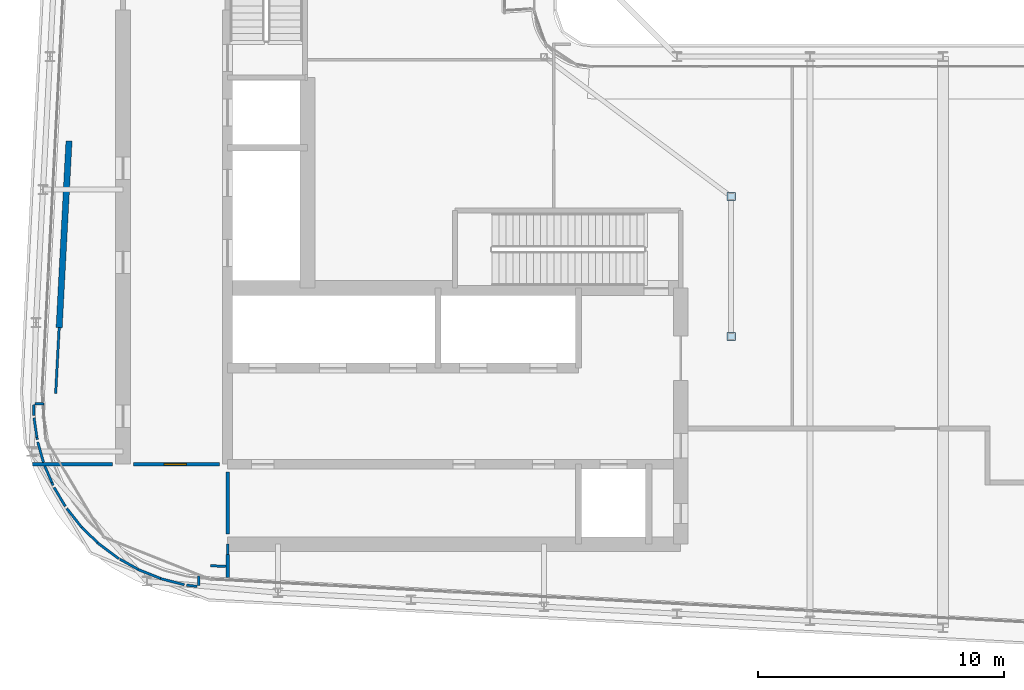
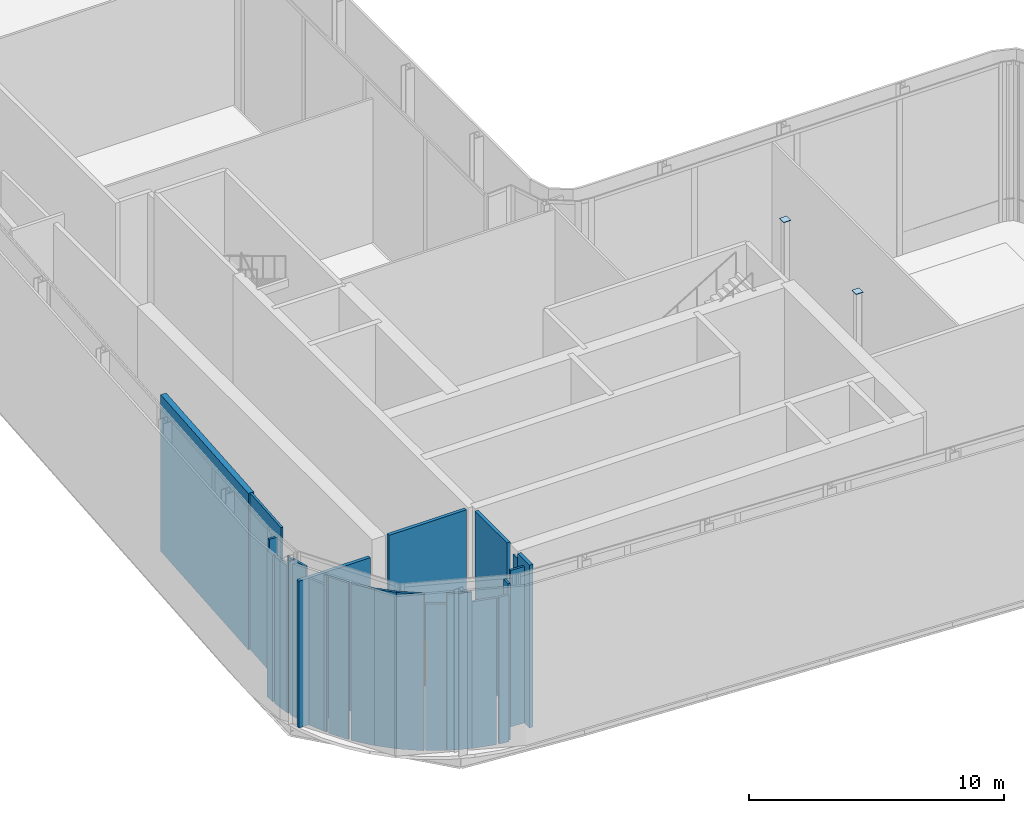
# One storey, part 20 of 28: 24 walls, 2 plates, 1 door, 1 opening.
"""IFC4 building model written with IfcOpenShell, lengths in metres."""

from ifc_helpers import new_model, si_unit, direction, frame, frame_2d, origin, origin_2d, place, context, subcontext, project, spatial, rectangle, extrude, source, transform, mapped, material, layer, layer_set, type_object, element, fill, save


model = new_model("IFC4")

# Units and contexts
model_context = context("Model", 3, precision=1e-05, world=origin(), true_north=direction((0.0, 1.0)))
body_context = subcontext(model_context, "Body", "Model", "MODEL_VIEW")
ifc_project = project(units=[si_unit("LENGTHUNIT", "METRE"), si_unit("AREAUNIT", "SQUARE_METRE"), si_unit("VOLUMEUNIT", "CUBIC_METRE"), si_unit("PLANEANGLEUNIT", "RADIAN"), si_unit("MASSUNIT", "GRAM", prefix="KILO")], contexts=[model_context])

# Site, building, storey
site_placement = place(None, origin())
site = spatial("IfcSite", under=ifc_project, at=site_placement, CompositionType="ELEMENT")
building_placement = place(site_placement, origin())
building = spatial("IfcBuilding", under=site, at=building_placement, Name="Kheshtan School and Residences Tower", CompositionType="ELEMENT")
storey_placement = place(building_placement, frame((0.0, 0.0, 325.39990234375)))
storey = spatial("IfcBuildingStorey", under=building, at=storey_placement, Name="L77", CompositionType="ELEMENT", Elevation=325.39990234375)

# Plates
ifc_material_1 = material(Name="Steel ASTM A992 Grade 50", Category="steel")
ifc_layer_1 = layer(ifc_material_1, 0.02490234375)
ifc_layer_set_1 = layer_set([ifc_layer_1], Name="End plate 25 HSS 254x254x12.7 ASTM A992 Grade 50")
plate_type = type_object("IfcPlateType", Name="End plate 25 HSS 254x254x12.7 ASTM A992 Grade 50", PredefinedType="SHEET", material=ifc_layer_set_1)
for number, where, z_axis, x_axis, name in (
    (1, (55.199951171875, 34.23193359375, 7.800048828125), (0.0, 0.0, 1.0), (1.0, 0.0, 0.0), "End plate"),
    (2, (55.199951171875, 39.916015625, 7.800048828125), (0.0, 0.0, 1.0), (1.0, 0.0, 0.0), "End plate"),
):
    element("IfcPlate", number, at=place(storey_placement, frame(where, z_axis=z_axis, x_axis=x_axis)), inside=storey, type_object=plate_type, Name=name, PredefinedType="SHEET", context=body_context, shape_type="SweptSolid", body=[
        extrude(rectangle(XDim=0.333984375, YDim=0.333984375, at=origin_2d()), origin(), (0.0, 0.0, 1.0), 0.02490234375),
    ])

# Walls
ifc_material_2 = material(Name="Gypsum board on steel studs", Category="steel")
ifc_layer_2 = layer(ifc_material_2, 0.10009765625)
ifc_layer_set_2 = layer_set([ifc_layer_2], Name="Gypsum partition 100")
wall_type_1 = type_object("IfcWallType", Name="Gypsum partition 100", PredefinedType="PARTITIONING", material=ifc_layer_set_2)
wall_1_placement = place(storey_placement, frame((26.8759765625, 31.464111328125, 0.0), z_axis=(0.0, 0.0, 1.0), x_axis=(0.011863571826, -0.999929625355, 0.0)))
element("IfcWall", 3, at=wall_1_placement, inside=storey, type_object=wall_type_1, Name="Partition L77-001", PredefinedType="PARTITIONING", context=body_context, shape_type="SweptSolid", body=[
    extrude(rectangle(XDim=0.43212890625, YDim=0.10009765625, at=frame_2d((0.216064453125, 0.0))), origin(), (0.0, 0.0, 1.0), 7.0341796875),
])
wall_2_placement = place(storey_placement, frame((26.89111328125, 30.93310546875, 0.0), z_axis=(0.0, 0.0, 1.0), x_axis=(0.142534627406, -0.989789816067, 0.0)))
element("IfcWall", 4, at=wall_2_placement, inside=storey, type_object=wall_type_1, Name="Partition L77-002", PredefinedType="PARTITIONING", context=body_context, shape_type="SweptSolid", body=[
    extrude(rectangle(XDim=0.798095703125, YDim=0.10009765625, at=frame_2d((0.39892578125, 0.0))), origin(), (0.0, 0.0, 1.0), 7.0341796875),
])
wall_3_placement = place(storey_placement, frame((27.0048828125, 30.14306640625, 0.0), z_axis=(0.0, 0.0, 1.0), x_axis=(0.144205453772, -0.989547768985, 0.0)))
element("IfcWall", 5, at=wall_3_placement, inside=storey, type_object=wall_type_1, Name="Partition L77-003", PredefinedType="PARTITIONING", context=body_context, shape_type="SweptSolid", body=[
    extrude(rectangle(XDim=0.09814453125, YDim=0.10009765625, at=frame_2d((0.049072265625, 0.0))), origin(), (0.0, 0.0, 1.0), 7.5),
])
wall_4_placement = place(storey_placement, frame((26.927001953125, 31.510986328125, 0.0), z_axis=(0.0, 0.0, 1.0), x_axis=(0.998783709616, -0.049306200475, 0.0)))
element("IfcWall", 6, at=wall_4_placement, inside=storey, type_object=wall_type_1, Name="Partition L77-004", PredefinedType="PARTITIONING", context=body_context, shape_type="SweptSolid", body=[
    extrude(rectangle(XDim=0.366455078125, YDim=0.10009765625, at=frame_2d((0.18310546875, 0.0))), origin(), (0.0, 0.0, 1.0), 7.5),
])
wall_5_placement = place(storey_placement, frame((27.041015625, 29.948974609375, 0.0), z_axis=(0.0, 0.0, 1.0), x_axis=(0.26959821311, -0.962972898626, 0.0)))
element("IfcWall", 7, at=wall_5_placement, inside=storey, type_object=wall_type_1, Name="Partition L77-005", PredefinedType="PARTITIONING", context=body_context, shape_type="SweptSolid", body=[
    extrude(rectangle(XDim=0.856689453125, YDim=0.10009765625, at=frame_2d((0.42822265625, 0.0))), origin(), (0.0, 0.0, 1.0), 7.5),
])
wall_6_placement = place(storey_placement, frame((27.325927734375, 28.97607421875, 0.0), z_axis=(0.0, 0.0, 1.0), x_axis=(0.394934059577, -0.918709469085, 0.0)))
element("IfcWall", 8, at=wall_6_placement, inside=storey, type_object=wall_type_1, Name="Partition L77-006", PredefinedType="PARTITIONING", context=body_context, shape_type="SweptSolid", body=[
    extrude(rectangle(XDim=0.725830078125, YDim=0.10009765625, at=frame_2d((0.36279296875, 0.0))), origin(), (0.0, 0.0, 1.0), 7.0341796875),
])
wall_7_placement = place(storey_placement, frame((27.612548828125, 28.309326171875, 0.0), z_axis=(0.0, 0.0, 1.0), x_axis=(0.395301717328, -0.918551333502, 0.0)))
element("IfcWall", 9, at=wall_7_placement, inside=storey, type_object=wall_type_1, Name="Partition L77-007", PredefinedType="PARTITIONING", context=body_context, shape_type="SweptSolid", body=[
    extrude(rectangle(XDim=0.1279296875, YDim=0.10009765625, at=frame_2d((0.06396484375, 0.0))), origin(), (0.0, 0.0, 1.0), 7.5),
])
wall_8_placement = place(storey_placement, frame((27.7060546875, 28.10302734375, 0.0), z_axis=(0.0, 0.0, 1.0), x_axis=(0.509689654441, -0.86035833009, 0.0)))
element("IfcWall", 10, at=wall_8_placement, inside=storey, type_object=wall_type_1, Name="Partition L77-008", PredefinedType="PARTITIONING", context=body_context, shape_type="SweptSolid", body=[
    extrude(rectangle(XDim=0.890380859375, YDim=0.10009765625, at=frame_2d((0.4453125, 0.0))), origin(), (0.0, 0.0, 1.0), 7.5),
])
wall_9_placement = place(storey_placement, frame((27.76904296875, 31.9208984375, 0.0), z_axis=(0.0, 0.0, 1.0), x_axis=(0.052625851765, 0.99861429978, 0.0)))
element("IfcWall", 11, at=wall_9_placement, inside=storey, type_object=wall_type_1, Name="Partition L77-009", PredefinedType="PARTITIONING", context=body_context, shape_type="SweptSolid", body=[
    extrude(rectangle(XDim=2.6767578125, YDim=0.10009765625, at=frame_2d((1.33837890625, 0.0))), origin(), (0.0, 0.0, 1.0), 7.5),
])
wall_10_placement = place(storey_placement, frame((28.218017578125, 27.2548828125, 0.0), z_axis=(0.0, 0.0, 1.0), x_axis=(0.619476296058, -0.78501536203, 0.0)))
element("IfcWall", 12, at=wall_10_placement, inside=storey, type_object=wall_type_1, Name="Partition L77-011", PredefinedType="PARTITIONING", context=body_context, shape_type="SweptSolid", body=[
    extrude(rectangle(XDim=0.989501953125, YDim=0.10009765625, at=frame_2d((0.49462890625, 0.0))), origin(), (0.0, 0.0, 1.0), 7.5),
])
wall_11_placement = place(storey_placement, frame((28.8359375, 26.48193359375, 0.0), z_axis=(0.0, 0.0, 1.0), x_axis=(0.715623548562, -0.698486175055, 0.0)))
element("IfcWall", 13, at=wall_11_placement, inside=storey, type_object=wall_type_1, Name="Partition L77-013", PredefinedType="PARTITIONING", context=body_context, shape_type="SweptSolid", body=[
    extrude(rectangle(XDim=0.88330078125, YDim=0.10009765625, at=frame_2d((0.441650390625, 0.0))), origin(), (0.0, 0.0, 1.0), 7.5),
])
wall_12_placement = place(storey_placement, frame((29.464111328125, 25.860107421875, 0.0), z_axis=(0.0, 0.0, 1.0), x_axis=(0.801101143891, -0.598528994499, 0.0)))
element("IfcWall", 14, at=wall_12_placement, inside=storey, type_object=wall_type_1, Name="Partition L77-015", PredefinedType="PARTITIONING", context=body_context, shape_type="SweptSolid", body=[
    extrude(rectangle(XDim=1.089599609375, YDim=0.10009765625, at=frame_2d((0.544921875, 0.0))), origin(), (0.0, 0.0, 1.0), 7.5),
])
wall_13_placement = place(storey_placement, frame((30.379638671875, 25.1923828125, 0.0), z_axis=(0.0, 0.0, 1.0), x_axis=(0.87188582616, -0.489709205693, 0.0)))
element("IfcWall", 15, at=wall_13_placement, inside=storey, type_object=wall_type_1, Name="Partition L77-017", PredefinedType="PARTITIONING", context=body_context, shape_type="SweptSolid", body=[
    extrude(rectangle(XDim=0.840087890625, YDim=0.10009765625, at=frame_2d((0.419921875, 0.0))), origin(), (0.0, 0.0, 1.0), 7.0341796875),
])
wall_14_placement = place(storey_placement, frame((31.110107421875, 24.77587890625, 0.0), z_axis=(0.0, 0.0, 1.0), x_axis=(0.928766317068, -0.370665790544, 0.0)))
element("IfcWall", 16, at=wall_14_placement, inside=storey, type_object=wall_type_1, Name="Partition L77-021", PredefinedType="PARTITIONING", context=body_context, shape_type="SweptSolid", body=[
    extrude(rectangle(XDim=0.9873046875, YDim=0.10009765625, at=frame_2d((0.49365234375, 0.0))), origin(), (0.0, 0.0, 1.0), 7.5),
])
wall_15_placement = place(storey_placement, frame((32.02490234375, 24.403076171875, 0.0), z_axis=(0.0, 0.0, 1.0), x_axis=(0.9690524518, -0.246854908116, 0.0)))
element("IfcWall", 17, at=wall_15_placement, inside=storey, type_object=wall_type_1, Name="Partition L77-022", PredefinedType="PARTITIONING", context=body_context, shape_type="SweptSolid", body=[
    extrude(rectangle(XDim=0.996826171875, YDim=0.10009765625, at=frame_2d((0.49853515625, 0.0))), origin(), (0.0, 0.0, 1.0), 7.0341796875),
])
wall_16_placement = place(storey_placement, frame((33.089111328125, 24.137939453125, 0.0), z_axis=(0.0, 0.0, 1.0), x_axis=(0.993162260955, -0.116742123564, 0.0)))
element("IfcWall", 18, at=wall_16_placement, inside=storey, type_object=wall_type_1, Name="Partition L77-023", PredefinedType="PARTITIONING", context=body_context, shape_type="SweptSolid", body=[
    extrude(rectangle(XDim=0.4287109375, YDim=0.10009765625, at=frame_2d((0.21435546875, 0.0))), origin(), (0.0, 0.0, 1.0), 7.0341796875),
])
wall_17_placement = place(storey_placement, frame((33.569091796875, 24.133056640625, 0.0), z_axis=(0.0, 0.0, 1.0), x_axis=(0.051028324416, 0.998697206418, 0.0)))
element("IfcWall", 19, at=wall_17_placement, inside=storey, type_object=wall_type_1, Name="Partition L77-035", PredefinedType="PARTITIONING", context=body_context, shape_type="SweptSolid", body=[
    extrude(rectangle(XDim=0.368408203125, YDim=0.10009765625, at=frame_2d((0.18408203125, 0.0))), origin(), (0.0, 0.0, 1.0), 7.5),
])
wall_18_placement = place(storey_placement, frame((34.06298828125, 24.928955078125, 0.0), z_axis=(0.0, 0.0, 1.0), x_axis=(0.99864189377, -0.052099597007, 0.0)))
element("IfcWall", 20, at=wall_18_placement, inside=storey, type_object=wall_type_1, Name="Partition L77-036", PredefinedType="PARTITIONING", context=body_context, shape_type="SweptSolid", body=[
    extrude(rectangle(XDim=0.61376953125, YDim=0.10009765625, at=frame_2d((0.306884765625, 0.0))), origin(), (0.0, 0.0, 1.0), 7.5),
])
wall_19_placement = place(storey_placement, frame((34.75, 25.37890625, 0.0), z_axis=(0.0, 0.0, 1.0), x_axis=(0.0, 1.0, 0.0)))
element("IfcWall", 21, at=wall_19_placement, inside=storey, type_object=wall_type_1, Name="Partition L77-037", PredefinedType="PARTITIONING", context=body_context, shape_type="SweptSolid", body=[
    extrude(rectangle(XDim=0.421142578125, YDim=0.10009765625, at=frame_2d((0.21044921875, 0.0))), origin(), (0.0, 0.0, 1.0), 7.5),
])
ifc_material_3 = material(Name="Fire-board and steel stud wall with mineral wool", Category="steel")
ifc_layer_3 = layer(ifc_material_3, 0.25)
ifc_layer_set_3 = layer_set([ifc_layer_3], Name="Plant room wall 250")
wall_type_2 = type_object("IfcWallType", Name="Plant room wall 250", PredefinedType="PARTITIONING", material=ifc_layer_set_3)
wall_20_placement = place(storey_placement, frame((27.909912109375, 34.593994140625, 0.0), z_axis=(0.0, 0.0, 1.0), x_axis=(0.052715829008, 0.998609554016, 0.0)))
element("IfcWall", 22, at=wall_20_placement, inside=storey, type_object=wall_type_2, Name="Partition L77-010", PredefinedType="PARTITIONING", context=body_context, shape_type="SweptSolid", body=[
    extrude(rectangle(XDim=7.590576171875, YDim=0.25, at=frame_2d((3.79541015625, 0.0))), origin(), (0.0, 0.0, 1.0), 7.5),
])
ifc_material_4 = material(Name="Fire-board shaft wall system")
ifc_layer_4 = layer(ifc_material_4, 0.14990234375)
ifc_layer_set_4 = layer_set([ifc_layer_4], Name="Service room wall 150")
wall_type_3 = type_object("IfcWallType", Name="Service room wall 150", PredefinedType="PARTITIONING", material=ifc_layer_set_4)
wall_21_placement = place(storey_placement, frame((34.75, 24.444091796875, 0.0), z_axis=(0.0, 0.0, 1.0), x_axis=(0.0, 1.0, 0.0)))
element("IfcWall", 23, at=wall_21_placement, inside=storey, type_object=wall_type_3, Name="Service room wall", PredefinedType="PARTITIONING", context=body_context, shape_type="SweptSolid", body=[
    extrude(rectangle(XDim=0.935791015625, YDim=0.14990234375, at=frame_2d((0.4677734375, 0.0))), origin(), (0.0, 0.0, 1.0), 7.800048828125),
])
wall_22_placement = place(storey_placement, frame((34.75, 26.219970703125, 0.0), z_axis=(0.0, 0.0, 1.0), x_axis=(0.0, 1.0, 0.0)))
element("IfcWall", 24, at=wall_22_placement, inside=storey, type_object=wall_type_3, Name="Service room wall", PredefinedType="PARTITIONING", context=body_context, shape_type="SweptSolid", body=[
    extrude(rectangle(XDim=2.510009765625, YDim=0.14990234375, at=frame_2d((1.2548828125, 0.0))), origin(), (0.0, 0.0, 1.0), 7.800048828125),
])
wall_23_placement = place(storey_placement, frame((26.827880859375, 29.050048828125, 0.0), z_axis=(0.0, 0.0, 1.0), x_axis=(1.0, 0.0, 0.0)))
element("IfcWall", 25, at=wall_23_placement, inside=storey, type_object=wall_type_3, Name="Service room wall", PredefinedType="PARTITIONING", context=body_context, shape_type="SweptSolid", body=[
    extrude(rectangle(XDim=3.252197265625, YDim=0.14990234375, at=frame_2d((1.6259765625, 0.0))), origin(), (0.0, 0.0, 1.0), 7.0341796875),
])

# Wall, opening, door
wall_24_placement = place(storey_placement, frame((30.919921875, 29.050048828125, 0.0), z_axis=(0.0, 0.0, 1.0), x_axis=(1.0, 0.0, 0.0)))
wall_24 = element("IfcWall", 26, at=wall_24_placement, inside=storey, type_object=wall_type_3, Name="Service room wall", PredefinedType="PARTITIONING", context=body_context, shape_type="SweptSolid", body=[
    extrude(rectangle(XDim=3.510009765625, YDim=0.14990234375, at=frame_2d((1.7548828125, 0.0))), origin(), (0.0, 0.0, 1.0), 7.800048828125),
])
opening_placement = place(wall_24_placement, frame((1.2548828125, 0.0, 0.0)))
opening = element("IfcOpeningElement", 27, at=opening_placement, cuts=wall_24, Name="Opening SR90", PredefinedType="OPENING", context=body_context, shape_type="SweptSolid", body=[
    extrude(rectangle(XDim=0.89990234375, YDim=2.199951171875, at=frame_2d((0.449951171875, 1.10009765625))), frame((0.0, 0.0849609375, 0.0), z_axis=(0.0, -1.0, 0.0), x_axis=(1.0, 0.0, 0.0)), (0.0, 0.0, 1.0), 0.169921875),
])
ifc_material_5 = material(Name="Steel door leaf, galvanised", Category="steel")
door_type = type_object("IfcDoorType", Name="Service room door 900 steel 90 min", OperationType="SINGLE_SWING_LEFT", PredefinedType="DOOR", material=ifc_material_5)
shared_shape = source(origin(), body_context, "Body", "SweptSolid", [
    extrude(rectangle(XDim=0.89990234375, YDim=2.199951171875, at=frame_2d((0.449951171875, 1.10009765625))), frame((0.0, 0.02490234375, 0.0), z_axis=(0.0, -1.0, 0.0), x_axis=(1.0, 0.0, 0.0)), (0.0, 0.0, 1.0), 0.050048828125),
])
door_placement = place(opening_placement, origin())
door = element("IfcDoor", 28, at=door_placement, inside=storey, type_object=door_type, Name="Service room door", OperationType="SINGLE_SWING_RIGHT", OverallHeight=2.199951171875, OverallWidth=0.89990234375, PredefinedType="DOOR", context=body_context, shape_type="MappedRepresentation", body=[
    mapped(shared_shape, transform((0.0, 0.0, 0.0), x_axis=(1.0, 0.0, 0.0), y_axis=(0.0, 1.0, 0.0), z_axis=(0.0, 0.0, 1.0), scale=1.0)),
])
fill(opening, door)

save(model, "model.ifc")
